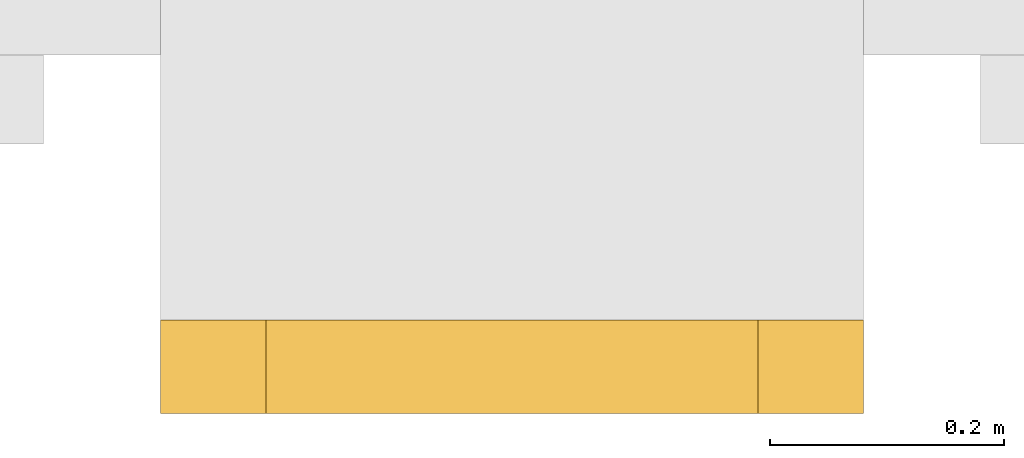
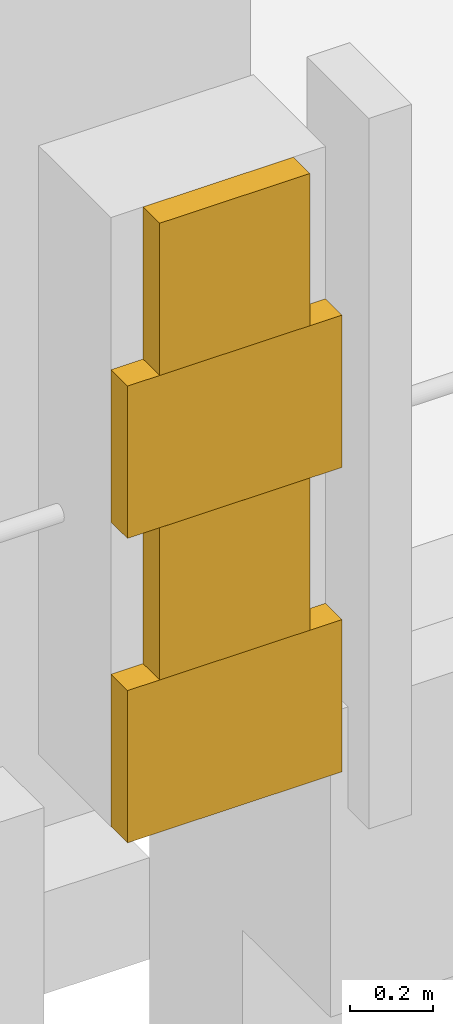
# One storey, part 24 of 24: 4 coverings.
"""IFC4 building model written with IfcOpenShell, lengths in metres."""

from ifc_helpers import new_model, si_unit, direction, frame, origin, place, context, subcontext, project, spatial, polyline, outline, extrude, material, layer, layer_set, type_object, element, save


model = new_model("IFC4")

# Units and contexts
model_context = context("Model", 3, precision=1e-05, world=origin(), true_north=direction((0.0, 1.0)))
body_context = subcontext(model_context, "Body", "Model", "MODEL_VIEW")
ifc_project = project(units=[si_unit("LENGTHUNIT", "METRE"), si_unit("AREAUNIT", "SQUARE_METRE"), si_unit("VOLUMEUNIT", "CUBIC_METRE"), si_unit("PLANEANGLEUNIT", "RADIAN"), si_unit("MASSUNIT", "GRAM", prefix="KILO")], contexts=[model_context])

# Site, building, storey
site_placement = place(None, origin())
site = spatial("IfcSite", under=ifc_project, at=site_placement, CompositionType="ELEMENT")
building_placement = place(site_placement, origin())
building = spatial("IfcBuilding", under=site, at=building_placement, Name="Cour d'Honneur Mobility Palace", CompositionType="ELEMENT")
storey_placement = place(building_placement, frame((0.0, 0.0, 26.699951171875)))
storey = spatial("IfcBuildingStorey", under=building, at=storey_placement, Name="L07", CompositionType="ELEMENT", Elevation=26.699951171875)

# Coverings
ifc_material = material(Name="Cast limestone", Category="masonry")
ifc_layer = layer(ifc_material, 0.080078125)
ifc_layer_set = layer_set([ifc_layer], Name="Cast limestone")
covering_type = type_object("IfcCoveringType", Name="Quoin block", PredefinedType="CLADDING", material=ifc_layer_set)
covering_1_placement = place(storey_placement, frame((0.0, 0.0, 0.300048828125)))
element("IfcCovering", 1, at=covering_1_placement, inside=storey, type_object=covering_type, Name="Quoin block QN-53", PredefinedType="CLADDING", context=body_context, shape_type="SweptSolid", body=[
    extrude(outline(polyline([(153.300048828125, -0.800048828125), (153.89990234375, -0.800048828125), (153.89990234375, -0.8798828125), (153.300048828125, -0.8798828125), (153.300048828125, -0.800048828125)])), origin(), (0.0, 0.0, 1.0), 0.449951171875),
])
covering_2_placement = place(storey_placement, frame((0.0, 0.0, 0.75)))
element("IfcCovering", 2, at=covering_2_placement, inside=storey, type_object=covering_type, Name="Quoin block QN-54", PredefinedType="CLADDING", context=body_context, shape_type="SweptSolid", body=[
    extrude(outline(polyline([(153.389892578125, -0.800048828125), (153.81005859375, -0.800048828125), (153.81005859375, -0.8798828125), (153.389892578125, -0.8798828125), (153.389892578125, -0.800048828125)])), origin(), (0.0, 0.0, 1.0), 0.449951171875),
])
covering_3_placement = place(storey_placement, frame((0.0, 0.0, 1.199951171875)))
element("IfcCovering", 3, at=covering_3_placement, inside=storey, type_object=covering_type, Name="Quoin block QN-55", PredefinedType="CLADDING", context=body_context, shape_type="SweptSolid", body=[
    extrude(outline(polyline([(153.300048828125, -0.800048828125), (153.89990234375, -0.800048828125), (153.89990234375, -0.8798828125), (153.300048828125, -0.8798828125), (153.300048828125, -0.800048828125)])), origin(), (0.0, 0.0, 1.0), 0.4501953125),
])
covering_4_placement = place(storey_placement, frame((0.0, 0.0, 1.650146484375)))
element("IfcCovering", 4, at=covering_4_placement, inside=storey, type_object=covering_type, Name="Quoin block QN-56", PredefinedType="CLADDING", context=body_context, shape_type="SweptSolid", body=[
    extrude(outline(polyline([(153.389892578125, -0.800048828125), (153.81005859375, -0.800048828125), (153.81005859375, -0.8798828125), (153.389892578125, -0.8798828125), (153.389892578125, -0.800048828125)])), origin(), (0.0, 0.0, 1.0), 0.449951171875),
])

save(model, "model.ifc")
